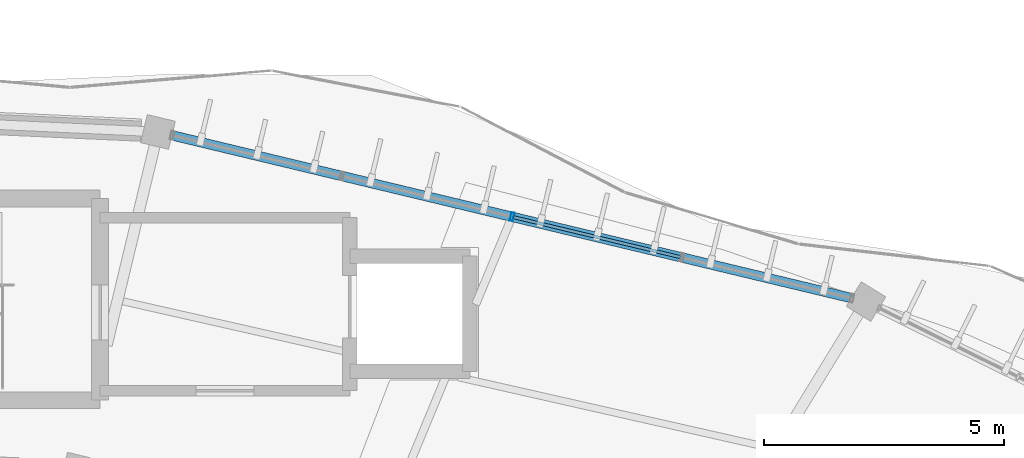
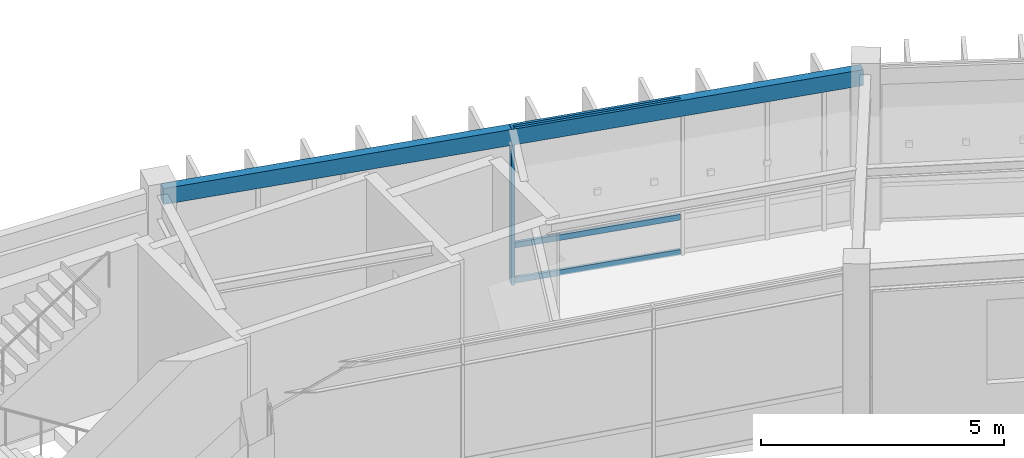
# One storey, part 50 of 83: 4 members, 1 beam, 1 element without a shape of its own.
"""IFC4 building model written with IfcOpenShell, lengths in metres."""

from ifc_helpers import new_model, si_unit, direction, frame, origin, origin_2d, place, context, subcontext, project, spatial, hollow_rectangle, extrude, material, material_profile, profile_set, type_object, element, aggregate, save


model = new_model("IFC4")

# Units and contexts
model_context = context("Model", 3, precision=1e-05, world=origin(), true_north=direction((0.0, 1.0)))
body_context = subcontext(model_context, "Body", "Model", "MODEL_VIEW")
ifc_project = project(units=[si_unit("LENGTHUNIT", "METRE"), si_unit("AREAUNIT", "SQUARE_METRE"), si_unit("VOLUMEUNIT", "CUBIC_METRE"), si_unit("PLANEANGLEUNIT", "RADIAN"), si_unit("MASSUNIT", "GRAM", prefix="KILO"), si_unit("THERMODYNAMICTEMPERATUREUNIT", "KELVIN"), si_unit("POWERUNIT", "WATT")], contexts=[model_context])

# Site, building, storey
site_placement = place(None, origin())
site = spatial("IfcSite", under=ifc_project, at=site_placement, CompositionType="ELEMENT")
building_placement = place(site_placement, origin())
building = spatial("IfcBuilding", under=site, at=building_placement, Name="Darbajah Civic Hall", CompositionType="ELEMENT")
storey_placement = place(building_placement, frame((0.0, 0.0, 18.0)))
storey = spatial("IfcBuildingStorey", under=building, at=storey_placement, Name="L04", CompositionType="ELEMENT", Elevation=18.0)

# Curtain wall, members
ifc_material_1 = material(Name="Anodised Bronze Aluminium and Low-E Glazing", Category="aluminium")
curtain_wall_type = type_object("IfcCurtainWallType", Name="Unitised Curtain Wall CW-64 14600x3900", PredefinedType="USERDEFINED", material=ifc_material_1)
curtain_wall_placement = place(storey_placement, origin())
curtain_wall = element("IfcCurtainWall", 1, at=curtain_wall_placement, inside=storey, type_object=curtain_wall_type, Name="L04 unitised curtain wall CW-V1O-L04-03", ObjectType="UNITISED CURTAIN WALL", PredefinedType="USERDEFINED")
ifc_material_2 = material(Name="Anodised Bronze Aluminium", Category="aluminium")
ifc_material_profile_1 = material_profile(ifc_material_2, hollow_rectangle(XDim=0.06494140625, YDim=0.179931640625, WallThickness=0.00390625, at=origin_2d()), Name="ALU MULLION 65x180")
ifc_profile_set_1 = profile_set([ifc_material_profile_1], Name="Anodised Bronze Aluminium")
member_type_1 = type_object("IfcMemberType", Name="ALU MULLION 65x180", PredefinedType="MULLION", material=ifc_profile_set_1)
member_1_placement = place(storey_placement, frame((108.376708984375, 116.718994140625, 0.0), z_axis=(0.0, 0.0, 1.0), x_axis=(-0.972492018808, 0.232936200179, 0.0)))
member_1 = element("IfcMember", 2, at=member_1_placement, type_object=member_type_1, Name="CW-V1O-L04-03 mullion 3", PredefinedType="MULLION", context=body_context, shape_type="SweptSolid", body=[
    extrude(hollow_rectangle(XDim=0.06494140625, YDim=0.179931640625, WallThickness=0.00390625, at=origin_2d()), origin(), (0.0, 0.0, 1.0), 3.919921875),
])
ifc_material_profile_2 = material_profile(ifc_material_2, hollow_rectangle(XDim=0.06494140625, YDim=0.139892578125, WallThickness=0.00341796875, at=origin_2d()), Name="ALU TRANSOM 65x140")
ifc_profile_set_2 = profile_set([ifc_material_profile_2], Name="Anodised Bronze Aluminium")
member_type_2 = type_object("IfcMemberType", Name="ALU TRANSOM 65x140", PredefinedType="USERDEFINED", material=ifc_profile_set_2)
member_2_placement = place(storey_placement, frame((111.878662109375, 115.8798828125, 0.070068359375), z_axis=(-0.972477399366, 0.232997226857, 0.0), x_axis=(-0.232997226857, -0.972477399366, 0.0)))
member_2 = element("IfcMember", 3, at=member_2_placement, type_object=member_type_2, Name="CW-V1O-L04-03 transom 2.1", ObjectType="TRANSOM", PredefinedType="USERDEFINED", context=body_context, shape_type="SweptSolid", body=[
    extrude(hollow_rectangle(XDim=0.06494140625, YDim=0.139892578125, WallThickness=0.00341796875, at=origin_2d()), origin(), (0.0, 0.0, 1.0), 3.563720703125),
])
member_3_placement = place(storey_placement, frame((111.878662109375, 115.8798828125, 0.949951171875), z_axis=(-0.972477399366, 0.232997226857, 0.0), x_axis=(-0.232997226857, -0.972477399366, 0.0)))
member_3 = element("IfcMember", 4, at=member_3_placement, type_object=member_type_2, Name="CW-V1O-L04-03 transom 2.2", ObjectType="TRANSOM", PredefinedType="USERDEFINED", context=body_context, shape_type="SweptSolid", body=[
    extrude(hollow_rectangle(XDim=0.06494140625, YDim=0.139892578125, WallThickness=0.00341796875, at=origin_2d()), origin(), (0.0, 0.0, 1.0), 3.563720703125),
])
member_4_placement = place(storey_placement, frame((111.878662109375, 115.8798828125, 3.85009765625), z_axis=(-0.972477399366, 0.232997226857, 0.0), x_axis=(-0.232997226857, -0.972477399366, 0.0)))
member_4 = element("IfcMember", 5, at=member_4_placement, type_object=member_type_2, Name="CW-V1O-L04-03 transom 2.3", ObjectType="TRANSOM", PredefinedType="USERDEFINED", context=body_context, shape_type="SweptSolid", body=[
    extrude(hollow_rectangle(XDim=0.06494140625, YDim=0.139892578125, WallThickness=0.00341796875, at=origin_2d()), origin(), (0.0, 0.0, 1.0), 3.563720703125),
])
aggregate(curtain_wall, [member_1, member_2, member_3, member_4])

# Beam
ifc_material_3 = material(Name="Steel S355JR", Category="steel")
ifc_material_profile_3 = material_profile(ifc_material_3, hollow_rectangle(XDim=0.199951171875, YDim=0.39990234375, WallThickness=0.013916015625, at=origin_2d()), Name="RHS 400x200x14")
ifc_profile_set_3 = profile_set([ifc_material_profile_3], Name="Steel S355JR")
beam_type = type_object("IfcBeamType", Name="RHS 400x200x14", PredefinedType="SPANDREL", material=ifc_profile_set_3)
beam_placement = place(storey_placement, frame((115.669677734375, 114.971435546875, 3.719970703125), z_axis=(-0.972475144086, 0.233006639679, 0.0), x_axis=(-0.233006639679, -0.972475144086, 0.0)))
element("IfcBeam", 6, at=beam_placement, inside=storey, type_object=beam_type, Name="L04 beam SP-RHS400", PredefinedType="SPANDREL", context=body_context, shape_type="SweptSolid", body=[
    extrude(hollow_rectangle(XDim=0.199951171875, YDim=0.39990234375, WallThickness=0.013916015625, at=origin_2d()), origin(), (0.0, 0.0, 1.0), 14.9990234375),
])

save(model, "model.ifc")
